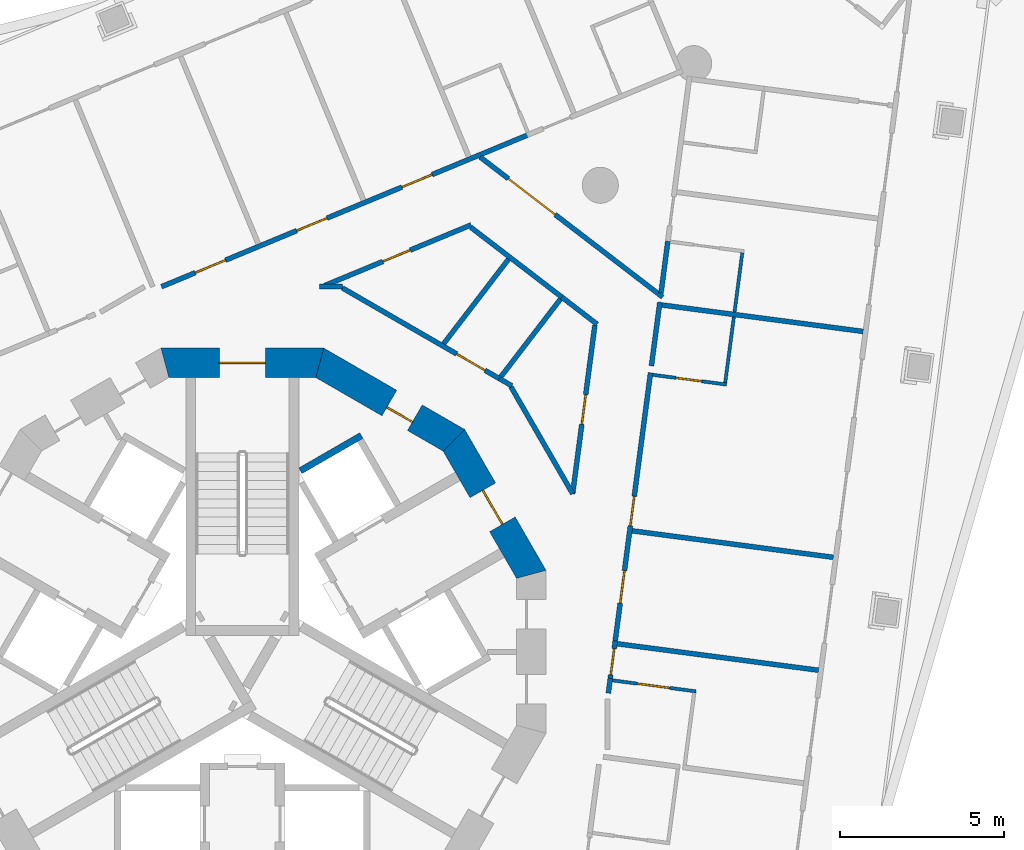
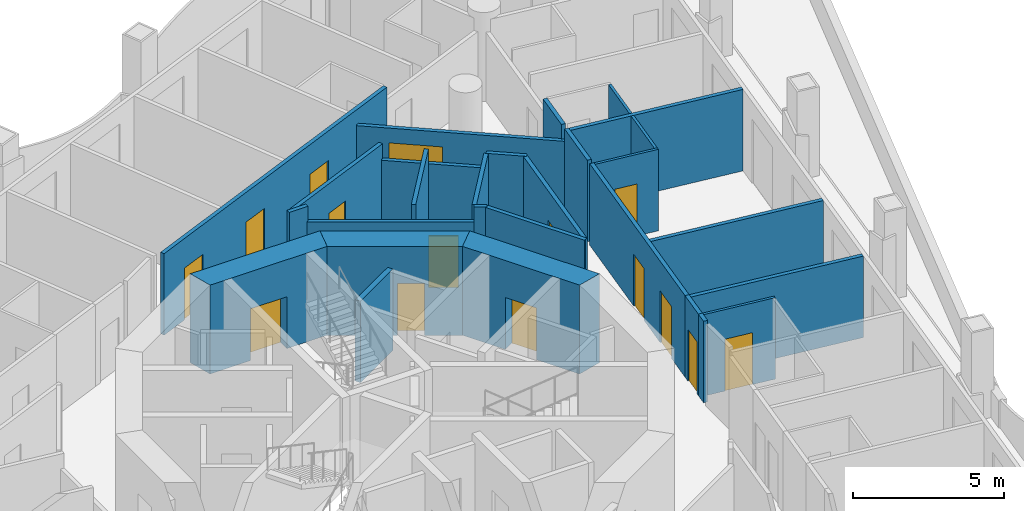
# One storey, part 9 of 19: 28 walls, 15 doors, 15 openings.
"""IFC4 building model written with IfcOpenShell, lengths in metres."""

import ifcopenshell
import ifcopenshell.guid

model = None  # the IFC model being written
_history = None  # IfcOwnerHistory: only IFC2X3 demands one
_inside = {}  # id of a spatial element -> (the spatial element, [elements in it])
_under = {}  # id of a project, library or spatial element -> (it, [spatial elements below it])
_declared = {}  # id of a project -> (the project, [libraries it declares])
_typed = {}  # id of a type object -> (the type object, [elements of that type])
_made_of = {}  # id of a material, layer set ... -> (it, [elements and type objects made of it])


def new_model(schema):
    """Start an empty IFC model of exactly this schema.

    Asked for "IFC4X3", IfcOpenShell would pick the latest addendum, in which some entities
    have other attributes; the version numbers below select the first issue.
    IFC2X3 requires an IfcOwnerHistory on every rooted entity: one is made here for all.
    """
    global model, _history
    if schema == "IFC4X3":
        model = ifcopenshell.file(schema_version=(4, 3, 0, 0))
    else:
        model = ifcopenshell.file(schema=schema)
    _inside.clear()
    _under.clear()
    _declared.clear()
    _typed.clear()
    _made_of.clear()
    _history = None
    if model.schema == "IFC2X3":
        org = make("IfcOrganization", Name="unknown")
        user = make(
            "IfcPersonAndOrganization",
            ThePerson=make("IfcPerson", FamilyName="unknown"),
            TheOrganization=org,
        )
        app = make(
            "IfcApplication",
            ApplicationDeveloper=org,
            Version="unknown",
            ApplicationFullName="unknown",
            ApplicationIdentifier="unknown",
        )
        _history = make(
            "IfcOwnerHistory",
            OwningUser=user,
            OwningApplication=app,
            ChangeAction="ADDED",
            CreationDate=0,
        )
    return model


def make(cls, **values):
    """One entity of the class cls with the attributes given. An attribute that is None is left unset."""
    return model.create_entity(
        cls, **{name: value for name, value in values.items() if value is not None}
    )


def rooted(cls, **values):
    """An entity with a GlobalId (a new one), such as an element, a storey or a relation."""
    return make(cls, GlobalId=ifcopenshell.guid.new(), OwnerHistory=_history, **values)


def si_unit(unit_type, name, prefix=None):
    """IfcSIUnit, for example si_unit("LENGTHUNIT", "METRE", prefix="MILLI")."""
    return make("IfcSIUnit", UnitType=unit_type, Prefix=prefix, Name=name)


def assignment(units):
    """IfcUnitAssignment: the units of a project."""
    return None if units is None else make("IfcUnitAssignment", Units=units)


def point(xyz):
    """IfcCartesianPoint."""
    return None if xyz is None else make("IfcCartesianPoint", Coordinates=xyz)


def direction(xyz):
    """IfcDirection."""
    return None if xyz is None else make("IfcDirection", DirectionRatios=xyz)


def frame(location, z_axis=None, x_axis=None):
    """IfcAxis2Placement3D, a coordinate frame: its origin and axes. An axis left out is left unset."""
    return make(
        "IfcAxis2Placement3D",
        Location=point(location),
        Axis=direction(z_axis),
        RefDirection=direction(x_axis),
    )


def frame_2d(location, x_axis=None):
    """IfcAxis2Placement2D, a coordinate frame in the plane: its origin and x axis."""
    return make(
        "IfcAxis2Placement2D", Location=point(location), RefDirection=direction(x_axis)
    )


def origin():
    """The frame at (0, 0, 0) with its axes left unset."""
    return frame((0.0, 0.0, 0.0))


def place(relative_to, where):
    """IfcLocalPlacement: puts the frame where relative to a parent placement (None: the world)."""
    return make(
        "IfcLocalPlacement", PlacementRelTo=relative_to, RelativePlacement=where
    )


def context(
    kind, dimensions, precision=None, world=None, true_north=None, identifier=None
):
    """IfcGeometricRepresentationContext, for example the 3D "Model" context."""
    return make(
        "IfcGeometricRepresentationContext",
        ContextIdentifier=identifier,
        ContextType=kind,
        CoordinateSpaceDimension=dimensions,
        Precision=precision,
        WorldCoordinateSystem=world,
        TrueNorth=true_north,
    )


def subcontext(parent, identifier, kind, view, scale=None):
    """IfcGeometricRepresentationSubContext, for example "Body" below "Model"."""
    return make(
        "IfcGeometricRepresentationSubContext",
        ContextIdentifier=identifier,
        ContextType=kind,
        ParentContext=parent,
        TargetScale=scale,
        TargetView=view,
    )


def project(units=None, contexts=None):
    """IfcProject with its units and contexts."""
    return rooted(
        "IfcProject",
        Name="project",
        RepresentationContexts=contexts,
        UnitsInContext=assignment(units),
    )


def spatial(cls, under=None, at=None, **own):
    """A site, building, storey or space (cls), placed at a placement, below another one or the project."""
    s = rooted(cls, ObjectPlacement=at, **own)
    if under is not None:
        _under.setdefault(under.id(), (under, []))[1].append(s)
    return s


def polyline(points):
    """IfcPolyline through the points."""
    return make("IfcPolyline", Points=[point(p) for p in points])


def profile(cls, at=None, kind="AREA", **sizes):
    """A parametric profile (cls). Its sizes go by their IFC names, for example OverallWidth=200.0."""
    return make(cls, ProfileType=kind, Position=at, **sizes)


def rectangle(**sizes):
    """IfcRectangleProfileDef."""
    return profile("IfcRectangleProfileDef", **sizes)


def outline(outer, holes=None, kind="AREA"):
    """IfcArbitraryClosedProfileDef: a profile drawn as a closed curve; with holes, ...WithVoids."""
    if holes is None:
        return make("IfcArbitraryClosedProfileDef", ProfileType=kind, OuterCurve=outer)
    return make(
        "IfcArbitraryProfileDefWithVoids",
        ProfileType=kind,
        OuterCurve=outer,
        InnerCurves=holes,
    )


def extrude(swept, where, along, depth):
    """IfcExtrudedAreaSolid: the profile swept, set in the frame where, extruded along a direction by depth."""
    return make(
        "IfcExtrudedAreaSolid",
        SweptArea=swept,
        Position=where,
        ExtrudedDirection=direction(along),
        Depth=depth,
    )


def shape(context_of_items, identifier, shape_type, items):
    """IfcShapeRepresentation: the items that make up one representation, for example the "Body"."""
    return make(
        "IfcShapeRepresentation",
        ContextOfItems=context_of_items,
        RepresentationIdentifier=identifier,
        RepresentationType=shape_type,
        Items=items,
    )


def material(Name=None, Category=None):
    """IfcMaterial."""
    return make("IfcMaterial", Name=Name, Category=Category)


def layer(
    of_material, thickness, ventilated=None, Name=None, Category=None, Priority=None
):
    """IfcMaterialLayer: one layer of a wall or slab, of a material (None: an air gap)."""
    return make(
        "IfcMaterialLayer",
        Material=of_material,
        LayerThickness=thickness,
        IsVentilated=ventilated,
        Name=Name,
        Category=Category,
        Priority=Priority,
    )


def layer_set(layers, Name=None):
    """IfcMaterialLayerSet."""
    return make("IfcMaterialLayerSet", MaterialLayers=layers, LayerSetName=Name)


def made_of(thing, what):
    """Note that an element or type object is made of a material, layer set ...; save() writes the relation."""
    if what is not None:
        _made_of.setdefault(what.id(), (what, []))[1].append(thing)
    return thing


def type_object(cls, material=None, **own):
    """A type object (cls), such as IfcWallType, which elements share."""
    return made_of(rooted(cls, **own), material)


def element(
    cls,
    number,
    at=None,
    inside=None,
    cuts=None,
    type_object=None,
    material=None,
    context=None,
    identifier="Body",
    shape_type=None,
    held_by="IfcProductDefinitionShape",
    body=None,
    shapes=None,
    **own,
):
    """One element of the class cls, such as IfcWall. Its Tag is "e" and its number.

    at: its placement. inside: the storey or other place that contains it. cuts: it is an
    opening in that element (IfcRelVoidsElement). A single representation is given by context,
    identifier, shape_type and body (its items); several are given by shapes. held_by: the class
    of the entity that holds the representations. save() writes the other relations.
    """
    e = rooted(cls, Tag="e%d" % number, ObjectPlacement=at, **own)
    if body is not None:
        shapes = [shape(context, identifier, shape_type, body)]
    if shapes is not None:
        e.Representation = make(held_by, Representations=shapes)
    if inside is not None:
        _inside.setdefault(inside.id(), (inside, []))[1].append(e)
    if cuts is not None:
        rooted(
            "IfcRelVoidsElement", RelatingBuildingElement=cuts, RelatedOpeningElement=e
        )
    if type_object is not None:
        _typed.setdefault(type_object.id(), (type_object, []))[1].append(e)
    return made_of(e, material)


def fill(opening, filler):
    """IfcRelFillsElement: the door or window that sits in an opening."""
    return rooted(
        "IfcRelFillsElement",
        RelatingOpeningElement=opening,
        RelatedBuildingElement=filler,
    )


def aggregate(whole, parts):
    """IfcRelAggregates: a whole, such as a stair, and the parts it consists of."""
    return rooted("IfcRelAggregates", RelatingObject=whole, RelatedObjects=parts)


def save(model, path):
    """Write the relations noted so far, then the file.

    IfcRelAggregates (storeys below a building ...), IfcRelContainedInSpatialStructure (elements
    in a storey), IfcRelDefinesByType, IfcRelAssociatesMaterial and IfcRelDeclares: one each for
    every whole, place, type object, material and project.
    """
    for whole, parts in _under.values():
        aggregate(whole, parts)
    for where, things in _inside.values():
        rooted(
            "IfcRelContainedInSpatialStructure",
            RelatedElements=things,
            RelatingStructure=where,
        )
    for kind, things in _typed.values():
        rooted("IfcRelDefinesByType", RelatedObjects=things, RelatingType=kind)
    for what, things in _made_of.values():
        rooted("IfcRelAssociatesMaterial", RelatedObjects=things, RelatingMaterial=what)
    for by, libraries in _declared.values():
        rooted("IfcRelDeclares", RelatingContext=by, RelatedDefinitions=libraries)
    model.write(path)


model = new_model("IFC4")

# Units and contexts
model_context = context("Model", 3, precision=1e-05, world=origin(), true_north=direction((0.0, 1.0)))
body_context = subcontext(model_context, "Body", "Model", "MODEL_VIEW")
ifc_project = project(units=[si_unit("LENGTHUNIT", "METRE"), si_unit("AREAUNIT", "SQUARE_METRE"), si_unit("VOLUMEUNIT", "CUBIC_METRE"), si_unit("PLANEANGLEUNIT", "RADIAN"), si_unit("MASSUNIT", "GRAM", prefix="KILO")], contexts=[model_context])

# Site, building, storey
site_placement = place(None, origin())
site = spatial("IfcSite", under=ifc_project, at=site_placement, CompositionType="ELEMENT")
building_placement = place(site_placement, origin())
building = spatial("IfcBuilding", under=site, at=building_placement, Name="Trine Commons Tower", CompositionType="ELEMENT")
storey_placement = place(building_placement, frame((0.0, 0.0, 124.199951171875)))
storey = spatial("IfcBuildingStorey", under=building, at=storey_placement, Name="L31", CompositionType="ELEMENT", Elevation=124.199951171875)

# Wall, opening, door
ifc_material_1 = material(Name="Concrete C70/85", Category="concrete")
ifc_layer_1 = layer(ifc_material_1, 0.89990234375)
ifc_layer_set_1 = layer_set([ifc_layer_1], Name="Concrete C70/85")
wall_type_1 = type_object("IfcWallType", Name="RC shear wall 900 mm, C70/85", PredefinedType="SHEAR", material=ifc_layer_set_1)
wall_1_placement = place(storey_placement, frame((88.88330078125, 64.759765625, 0.0), z_axis=(0.0, 0.0, 1.0), x_axis=(-0.500038571144, 0.866003133579, 0.0)))
wall_1 = element("IfcWall", 1, at=wall_1_placement, inside=storey, type_object=wall_type_1, Name="Core wall CWD-02 L31", PredefinedType="SHEAR", context=body_context, shape_type="SweptSolid", body=[
    extrude(outline(polyline([(0.0, -0.449951171875), (4.96923828125, -0.449951171875), (4.72802734375, 0.449951171875), (0.2412109375, 0.449951171875), (0.0, -0.449951171875)])), origin(), (0.0, 0.0, 1.0), 3.60009765625),
])
opening_1_placement = place(wall_1_placement, frame((1.884521484375, 0.0, 0.0)))
opening_1 = element("IfcOpeningElement", 2, at=opening_1_placement, cuts=wall_1, Name="Opening K10.04", PredefinedType="OPENING", context=body_context, shape_type="SweptSolid", body=[
    extrude(rectangle(XDim=1.199951171875, YDim=2.10009765625, at=frame_2d((0.60009765625, 1.050048828125))), frame((0.0, 0.4599609375, 0.0), z_axis=(0.0, -1.0, 0.0), x_axis=(1.0, 0.0, 0.0)), (0.0, 0.0, 1.0), 0.919921875),
])
ifc_material_2 = material(Name="Steel door leaves, fire-rated", Category="steel")
door_type_1 = type_object("IfcDoorType", Name="Lobby door, double leaf 1200 x 2100, FD60", OperationType="DOUBLE_DOOR_SINGLE_SWING", PredefinedType="DOOR", material=ifc_material_2)
door_1_placement = place(opening_1_placement, origin())
door_1 = element("IfcDoor", 3, at=door_1_placement, inside=storey, type_object=door_type_1, Name="Lobby door, Passenger lift lobby A L31", OperationType="DOUBLE_DOOR_SINGLE_SWING", OverallHeight=2.10009765625, OverallWidth=1.199951171875, PredefinedType="DOOR", context=body_context, shape_type="SweptSolid", body=[
    extrude(rectangle(XDim=1.199951171875, YDim=2.10009765625, at=frame_2d((0.60009765625, 1.050048828125))), frame((0.0, 0.02490234375, 0.0), z_axis=(0.0, -1.0, 0.0), x_axis=(1.0, 0.0, 0.0)), (0.0, 0.0, 1.0), 0.050048828125),
])
fill(opening_1, door_1)

wall_2_placement = place(storey_placement, frame((86.563232421875, 68.8984375, 0.0), z_axis=(0.0, 0.0, 1.0), x_axis=(-0.866003133579, 0.500038571144, 0.0)))
wall_2 = element("IfcWall", 4, at=wall_2_placement, inside=storey, type_object=wall_type_1, Name="Core wall CWD-03 L31", PredefinedType="SHEAR", context=body_context, shape_type="SweptSolid", body=[
    extrude(outline(polyline([(0.0, -0.449951171875), (4.96923828125, -0.449951171875), (4.72802734375, 0.449951171875), (0.2412109375, 0.449951171875), (0.0, -0.449951171875)])), origin(), (0.0, 0.0, 1.0), 3.60009765625),
])
opening_2_placement = place(wall_2_placement, frame((1.49609375, 0.0, 0.0)))
opening_2 = element("IfcOpeningElement", 5, at=opening_2_placement, cuts=wall_2, Name="Opening K10.12", PredefinedType="OPENING", context=body_context, shape_type="SweptSolid", body=[
    extrude(rectangle(XDim=0.89990234375, YDim=2.10009765625, at=frame_2d((0.449951171875, 1.050048828125))), frame((0.0, 0.4599609375, 0.0), z_axis=(0.0, -1.0, 0.0), x_axis=(1.0, 0.0, 0.0)), (0.0, 0.0, 1.0), 0.919921875),
])
ifc_material_3 = material(Name="Steel door leaf, fire-rated", Category="steel")
door_type_2 = type_object("IfcDoorType", Name="Core room door, single leaf 900 x 2100, FD30S", OperationType="SINGLE_SWING_LEFT", PredefinedType="DOOR", material=ifc_material_3)
door_2_placement = place(opening_2_placement, origin())
door_2 = element("IfcDoor", 6, at=door_2_placement, inside=storey, type_object=door_type_2, Name="Door to Pantry L31", OperationType="SINGLE_SWING_LEFT", OverallHeight=2.10009765625, OverallWidth=0.89990234375, PredefinedType="DOOR", context=body_context, shape_type="SweptSolid", body=[
    extrude(rectangle(XDim=0.89990234375, YDim=2.10009765625, at=frame_2d((0.449951171875, 1.050048828125))), frame((0.0, 0.1748046875, 0.0), z_axis=(0.0, -1.0, 0.0), x_axis=(1.0, 0.0, 0.0)), (0.0, 0.0, 1.0), 0.050048828125),
])
fill(opening_2, door_2)

wall_3_placement = place(storey_placement, frame((82.484619140625, 71.322998046875, 0.0), z_axis=(0.0, 0.0, 1.0), x_axis=(-1.0, 0.0, 0.0)))
wall_3 = element("IfcWall", 7, at=wall_3_placement, inside=storey, type_object=wall_type_1, Name="Core wall CWD-04 L31", PredefinedType="SHEAR", context=body_context, shape_type="SweptSolid", body=[
    extrude(outline(polyline([(0.0, -0.449951171875), (4.969482421875, -0.449951171875), (4.728271484375, 0.449951171875), (0.2412109375, 0.449951171875), (0.0, -0.449951171875)])), origin(), (0.0, 0.0, 1.0), 3.60009765625),
])
opening_3_placement = place(wall_3_placement, frame((1.78466796875, 0.0, 0.0)))
opening_3 = element("IfcOpeningElement", 8, at=opening_3_placement, cuts=wall_3, Name="Opening K10.01", PredefinedType="OPENING", context=body_context, shape_type="SweptSolid", body=[
    extrude(rectangle(XDim=1.39990234375, YDim=2.10009765625, at=frame_2d((0.699951171875, 1.050048828125))), frame((0.0, 0.4599609375, 0.0), z_axis=(0.0, -1.0, 0.0), x_axis=(1.0, 0.0, 0.0)), (0.0, 0.0, 1.0), 0.919921875),
])
door_type_3 = type_object("IfcDoorType", Name="Stair door, double leaf 1400 x 2100, FD90", OperationType="DOUBLE_DOOR_SINGLE_SWING", PredefinedType="DOOR", material=ifc_material_2)
door_3_placement = place(opening_3_placement, origin())
door_3 = element("IfcDoor", 9, at=door_3_placement, inside=storey, type_object=door_type_3, Name="Stair door to Exit stair ST1B L31", OperationType="DOUBLE_DOOR_SINGLE_SWING", OverallHeight=2.10009765625, OverallWidth=1.39990234375, PredefinedType="DOOR", context=body_context, shape_type="SweptSolid", body=[
    extrude(rectangle(XDim=1.39990234375, YDim=2.10009765625, at=frame_2d((0.699951171875, 1.050048828125))), frame((0.0, 0.02490234375, 0.0), z_axis=(0.0, -1.0, 0.0), x_axis=(1.0, 0.0, 0.0)), (0.0, 0.0, 1.0), 0.050048828125),
])
fill(opening_3, door_3)

# Wall
ifc_material_4 = material(Name="Fire-rated gypsum shaft wall system")
ifc_layer_2 = layer(ifc_material_4, 0.199951171875)
ifc_layer_set_2 = layer_set([ifc_layer_2], Name="Fire-rated gypsum shaft wall system")
wall_type_2 = type_object("IfcWallType", Name="Shaft wall 200 mm, EI 120", PredefinedType="PARTITIONING", material=ifc_layer_set_2)
wall_4_placement = place(storey_placement, frame((81.77490234375, 68.028076171875, 0.0), z_axis=(0.0, 0.0, 1.0), x_axis=(0.866130725101, 0.499817533742, 0.0)))
element("IfcWall", 10, at=wall_4_placement, inside=storey, type_object=wall_type_2, Name="Shaft wall L31", PredefinedType="PARTITIONING", context=body_context, shape_type="SweptSolid", body=[
    extrude(rectangle(XDim=2.148681640625, YDim=0.199951171875, at=frame_2d((1.07421875, 0.0))), origin(), (0.0, 0.0, 1.0), 3.300048828125),
])

# Wall, openings, doors
ifc_material_5 = material(Name="Gypsum plasterboard on steel stud", Category="steel")
ifc_layer_3 = layer(ifc_material_5, 0.14990234375)
ifc_layer_set_3 = layer_set([ifc_layer_3], Name="Gypsum plasterboard on steel stud")
wall_type_3 = type_object("IfcWallType", Name="Unit and corridor wall 150 mm, EI 60", PredefinedType="PARTITIONING", material=ifc_layer_set_3)
wall_5_placement = place(storey_placement, frame((77.531982421875, 73.64794921875, 0.0), z_axis=(0.0, 0.0, 1.0), x_axis=(0.923863379582, 0.382722426659, 0.0)))
wall_5 = element("IfcWall", 11, at=wall_5_placement, inside=storey, type_object=wall_type_3, Name="Partition 059", PredefinedType="PARTITIONING", context=body_context, shape_type="SweptSolid", body=[
    extrude(rectangle(XDim=12.139404296875, YDim=0.14990234375, at=frame_2d((6.06982421875, 0.0))), origin(), (0.0, 0.0, 1.0), 3.300048828125),
])
opening_4_placement = place(wall_5_placement, frame((1.115966796875, 0.0, 0.0)))
opening_4 = element("IfcOpeningElement", 12, at=opening_4_placement, cuts=wall_5, Name="Opening D-4A10", PredefinedType="OPENING", context=body_context, shape_type="SweptSolid", body=[
    extrude(rectangle(XDim=1.0, YDim=2.10009765625, at=frame_2d((0.5, 1.050048828125))), frame((0.0, 0.0849609375, 0.0), z_axis=(0.0, -1.0, 0.0), x_axis=(1.0, 0.0, 0.0)), (0.0, 0.0, 1.0), 0.169921875),
])
opening_5_placement = place(wall_5_placement, frame((4.46875, 0.0, 0.0)))
opening_5 = element("IfcOpeningElement", 13, at=opening_5_placement, cuts=wall_5, Name="Opening D-4A11", PredefinedType="OPENING", context=body_context, shape_type="SweptSolid", body=[
    extrude(rectangle(XDim=1.0, YDim=2.10009765625, at=frame_2d((0.5, 1.050048828125))), frame((0.0, 0.0849609375, 0.0), z_axis=(0.0, -1.0, 0.0), x_axis=(1.0, 0.0, 0.0)), (0.0, 0.0, 1.0), 0.169921875),
])
opening_6_placement = place(wall_5_placement, frame((7.946533203125, 0.0, 0.0)))
opening_6 = element("IfcOpeningElement", 14, at=opening_6_placement, cuts=wall_5, Name="Opening D-4A12", PredefinedType="OPENING", context=body_context, shape_type="SweptSolid", body=[
    extrude(rectangle(XDim=1.0, YDim=2.10009765625, at=frame_2d((0.5, 1.050048828125))), frame((0.0, 0.0849609375, 0.0), z_axis=(0.0, -1.0, 0.0), x_axis=(1.0, 0.0, 0.0)), (0.0, 0.0, 1.0), 0.169921875),
])
ifc_material_6 = material(Name="Painted timber", Category="wood")
door_type_4 = type_object("IfcDoorType", Name="Amenity room door 1000 x 2100, NOT RATED", OperationType="NOTDEFINED", PredefinedType="DOOR", material=ifc_material_6)
door_4_placement = place(opening_5_placement, origin())
door_4 = element("IfcDoor", 15, at=door_4_placement, inside=storey, type_object=door_type_4, Name="Door D-4A11", OperationType="SINGLE_SWING_LEFT", OverallHeight=2.10009765625, OverallWidth=1.0, PredefinedType="DOOR", context=body_context, shape_type="SweptSolid", body=[
    extrude(rectangle(XDim=1.0, YDim=2.10009765625, at=frame_2d((0.5, 1.050048828125))), frame((0.0, 0.02490234375, 0.0), z_axis=(0.0, -1.0, 0.0), x_axis=(1.0, 0.0, 0.0)), (0.0, 0.0, 1.0), 0.050048828125),
])
fill(opening_5, door_4)
door_5_placement = place(opening_6_placement, origin())
door_5 = element("IfcDoor", 16, at=door_5_placement, inside=storey, type_object=door_type_4, Name="Door D-4A12", OperationType="SINGLE_SWING_RIGHT", OverallHeight=2.10009765625, OverallWidth=1.0, PredefinedType="DOOR", context=body_context, shape_type="SweptSolid", body=[
    extrude(rectangle(XDim=1.0, YDim=2.10009765625, at=frame_2d((0.5, 1.050048828125))), frame((0.0, 0.02490234375, 0.0), z_axis=(0.0, -1.0, 0.0), x_axis=(1.0, 0.0, 0.0)), (0.0, 0.0, 1.0), 0.050048828125),
])
fill(opening_6, door_5)
door_type_5 = type_object("IfcDoorType", Name="Toilet door 1000 x 2100, NOT RATED", OperationType="NOTDEFINED", PredefinedType="DOOR", material=ifc_material_6)
door_6_placement = place(opening_4_placement, origin())
door_6 = element("IfcDoor", 17, at=door_6_placement, inside=storey, type_object=door_type_5, Name="Door D-4A10", OperationType="SINGLE_SWING_LEFT", OverallHeight=2.10009765625, OverallWidth=1.0, PredefinedType="DOOR", context=body_context, shape_type="SweptSolid", body=[
    extrude(rectangle(XDim=1.0, YDim=2.10009765625, at=frame_2d((0.5, 1.050048828125))), frame((0.0, 0.02490234375, 0.0), z_axis=(0.0, -1.0, 0.0), x_axis=(1.0, 0.0, 0.0)), (0.0, 0.0, 1.0), 0.050048828125),
])
fill(opening_4, door_6)

# Wall
wall_6_placement = place(storey_placement, frame((82.35205078125, 73.64794921875, 0.0), z_axis=(0.0, 0.0, 1.0), x_axis=(1.0, 0.0, 0.0)))
element("IfcWall", 18, at=wall_6_placement, inside=storey, type_object=wall_type_3, Name="Partition 067", PredefinedType="PARTITIONING", context=body_context, shape_type="SweptSolid", body=[
    extrude(rectangle(XDim=0.7099609375, YDim=0.14990234375, at=frame_2d((0.35498046875, 0.0))), origin(), (0.0, 0.0, 1.0), 3.300048828125),
])

# Wall, opening, door
wall_7_placement = place(storey_placement, frame((82.500244140625, 73.6767578125, 0.0), z_axis=(0.0, 0.0, 1.0), x_axis=(0.923900404771, 0.382633038384, 0.0)))
wall_7 = element("IfcWall", 19, at=wall_7_placement, inside=storey, type_object=wall_type_3, Name="Partition 068", PredefinedType="PARTITIONING", context=body_context, shape_type="SweptSolid", body=[
    extrude(rectangle(XDim=4.855712890625, YDim=0.14990234375, at=frame_2d((2.427734375, 0.0))), origin(), (0.0, 0.0, 1.0), 3.300048828125),
])
opening_7_placement = place(wall_7_placement, frame((1.940185546875, 0.0, 0.0)))
opening_7 = element("IfcOpeningElement", 20, at=opening_7_placement, cuts=wall_7, Name="Opening D-4A34", PredefinedType="OPENING", context=body_context, shape_type="SweptSolid", body=[
    extrude(rectangle(XDim=0.89990234375, YDim=2.10009765625, at=frame_2d((0.449951171875, 1.050048828125))), frame((0.0, 0.0849609375, 0.0), z_axis=(0.0, -1.0, 0.0), x_axis=(1.0, 0.0, 0.0)), (0.0, 0.0, 1.0), 0.169921875),
])
ifc_material_7 = material(Name="Timber fire door set", Category="wood")
door_type_6 = type_object("IfcDoorType", Name="Service door 900 x 2100, FD30S", OperationType="NOTDEFINED", PredefinedType="DOOR", material=ifc_material_7)
door_7_placement = place(opening_7_placement, frame((0.89990234375, 0.0, 0.0), z_axis=(0.0, 0.0, 1.0), x_axis=(-1.0, 0.0, 0.0)))
door_7 = element("IfcDoor", 21, at=door_7_placement, inside=storey, type_object=door_type_6, Name="Door D-4A34", OperationType="SINGLE_SWING_RIGHT", OverallHeight=2.10009765625, OverallWidth=0.89990234375, PredefinedType="DOOR", context=body_context, shape_type="SweptSolid", body=[
    extrude(rectangle(XDim=0.89990234375, YDim=2.10009765625, at=frame_2d((0.449951171875, 1.050048828125))), frame((0.0, 0.02490234375, 0.0), z_axis=(0.0, -1.0, 0.0), x_axis=(1.0, 0.0, 0.0)), (0.0, 0.0, 1.0), 0.050048828125),
])
fill(opening_7, door_7)

wall_8_placement = place(storey_placement, frame((83.052001953125, 73.610595703125, 0.0), z_axis=(0.0, 0.0, 1.0), x_axis=(0.866011740381, -0.500023664962, 0.0)))
wall_8 = element("IfcWall", 22, at=wall_8_placement, inside=storey, type_object=wall_type_3, Name="Partition 071", PredefinedType="PARTITIONING", context=body_context, shape_type="SweptSolid", body=[
    extrude(rectangle(XDim=5.542724609375, YDim=0.14990234375, at=frame_2d((2.771484375, 0.0))), origin(), (0.0, 0.0, 1.0), 2.699951171875),
])
opening_8_placement = place(wall_8_placement, frame((4.030517578125, 0.0, 0.0)))
opening_8 = element("IfcOpeningElement", 23, at=opening_8_placement, cuts=wall_8, Name="Opening D-4A38", PredefinedType="OPENING", context=body_context, shape_type="SweptSolid", body=[
    extrude(rectangle(XDim=1.0, YDim=2.10009765625, at=frame_2d((0.5, 1.050048828125))), frame((0.0, 0.0849609375, 0.0), z_axis=(0.0, -1.0, 0.0), x_axis=(1.0, 0.0, 0.0)), (0.0, 0.0, 1.0), 0.169921875),
])
door_8_placement = place(opening_8_placement, origin())
door_8 = element("IfcDoor", 24, at=door_8_placement, inside=storey, type_object=door_type_5, Name="Door D-4A38", OperationType="SINGLE_SWING_RIGHT", OverallHeight=2.10009765625, OverallWidth=1.0, PredefinedType="DOOR", context=body_context, shape_type="SweptSolid", body=[
    extrude(rectangle(XDim=1.0, YDim=2.10009765625, at=frame_2d((0.5, 1.050048828125))), frame((0.0, 0.02490234375, 0.0), z_axis=(0.0, -1.0, 0.0), x_axis=(1.0, 0.0, 0.0)), (0.0, 0.0, 1.0), 0.050048828125),
])
fill(opening_8, door_8)

# Walls
wall_9_placement = place(storey_placement, frame((86.147705078125, 71.908447265625, 0.0), z_axis=(0.0, 0.0, 1.0), x_axis=(0.608765985087, 0.793349844269, 0.0)))
element("IfcWall", 25, at=wall_9_placement, inside=storey, type_object=wall_type_3, Name="Partition 081", PredefinedType="PARTITIONING", context=body_context, shape_type="SweptSolid", body=[
    extrude(rectangle(XDim=3.24853515625, YDim=0.14990234375, at=frame_2d((1.624267578125, 0.0))), origin(), (0.0, 0.0, 1.0), 3.300048828125),
])
wall_10_placement = place(storey_placement, frame((86.9765625, 75.460205078125, 0.0), z_axis=(0.0, 0.0, 1.0), x_axis=(0.793436349507, -0.608653234018, 0.0)))
element("IfcWall", 26, at=wall_10_placement, inside=storey, type_object=wall_type_3, Name="Partition 082", PredefinedType="PARTITIONING", context=body_context, shape_type="SweptSolid", body=[
    extrude(rectangle(XDim=3.583251953125, YDim=0.14990234375, at=frame_2d((1.79150390625, 0.0))), origin(), (0.0, 0.0, 1.0), 2.699951171875),
])

# Wall, opening, door
wall_11_placement = place(storey_placement, frame((87.259521484375, 77.607421875, 0.0), z_axis=(0.0, 0.0, 1.0), x_axis=(0.79336631803, -0.608744515718, 0.0)))
wall_11 = element("IfcWall", 27, at=wall_11_placement, inside=storey, type_object=wall_type_3, Name="Partition 083", PredefinedType="PARTITIONING", context=body_context, shape_type="SweptSolid", body=[
    extrude(rectangle(XDim=7.0244140625, YDim=0.14990234375, at=frame_2d((3.51220703125, 0.0))), origin(), (0.0, 0.0, 1.0), 2.699951171875),
])
opening_9_placement = place(wall_11_placement, frame((1.086181640625, 0.0, 0.0)))
opening_9 = element("IfcOpeningElement", 28, at=opening_9_placement, cuts=wall_11, Name="Opening D-4A01", PredefinedType="OPENING", context=body_context, shape_type="SweptSolid", body=[
    extrude(rectangle(XDim=1.800048828125, YDim=2.10009765625, at=frame_2d((0.89990234375, 1.050048828125))), frame((0.0, 0.0849609375, 0.0), z_axis=(0.0, -1.0, 0.0), x_axis=(1.0, 0.0, 0.0)), (0.0, 0.0, 1.0), 0.169921875),
])
door_type_7 = type_object("IfcDoorType", Name="Cluster entrance door 1800 x 2100, double leaf, FD30S", OperationType="DOUBLE_DOOR_DOUBLE_SWING", PredefinedType="DOOR", material=ifc_material_7)
door_9_placement = place(opening_9_placement, origin())
door_9 = element("IfcDoor", 29, at=door_9_placement, inside=storey, type_object=door_type_7, Name="Door D-4A01", OperationType="DOUBLE_DOOR_DOUBLE_SWING", OverallHeight=2.10009765625, OverallWidth=1.800048828125, PredefinedType="DOOR", context=body_context, shape_type="SweptSolid", body=[
    extrude(rectangle(XDim=1.800048828125, YDim=2.10009765625, at=frame_2d((0.89990234375, 1.050048828125))), frame((0.0, 0.02490234375, 0.0), z_axis=(0.0, -1.0, 0.0), x_axis=(1.0, 0.0, 0.0)), (0.0, 0.0, 1.0), 0.050048828125),
])
fill(opening_9, door_9)

# Walls
wall_12_placement = place(storey_placement, frame((87.845947265625, 70.843017578125, 0.0), z_axis=(0.0, 0.0, 1.0), x_axis=(0.86587042983, -0.500268326746, 0.0)))
element("IfcWall", 30, at=wall_12_placement, inside=storey, type_object=wall_type_3, Name="Partition 088", PredefinedType="PARTITIONING", context=body_context, shape_type="SweptSolid", body=[
    extrude(rectangle(XDim=0.438720703125, YDim=0.14990234375, at=frame_2d((0.21923828125, 0.0))), origin(), (0.0, 0.0, 1.0), 3.300048828125),
])
wall_13_placement = place(storey_placement, frame((87.894775390625, 70.900390625, 0.0), z_axis=(0.0, 0.0, 1.0), x_axis=(0.608761301523, 0.793353438114, 0.0)))
element("IfcWall", 31, at=wall_13_placement, inside=storey, type_object=wall_type_3, Name="Partition 089", PredefinedType="PARTITIONING", context=body_context, shape_type="SweptSolid", body=[
    extrude(rectangle(XDim=2.98388671875, YDim=0.14990234375, at=frame_2d((1.491943359375, 0.0))), origin(), (0.0, 0.0, 1.0), 3.300048828125),
])
wall_14_placement = place(storey_placement, frame((88.198486328125, 70.595947265625, 0.0), z_axis=(0.0, 0.0, 1.0), x_axis=(0.499871635049, -0.86609950264, 0.0)))
element("IfcWall", 32, at=wall_14_placement, inside=storey, type_object=wall_type_3, Name="Partition 092", PredefinedType="PARTITIONING", context=body_context, shape_type="SweptSolid", body=[
    extrude(rectangle(XDim=3.77783203125, YDim=0.14990234375, at=frame_2d((1.888916015625, 0.0))), origin(), (0.0, 0.0, 1.0), 3.300048828125),
])
wall_15_placement = place(storey_placement, frame((89.75390625, 73.3291015625, 0.0), z_axis=(0.0, 0.0, 1.0), x_axis=(0.793704663206, -0.608303302313, 0.0)))
element("IfcWall", 33, at=wall_15_placement, inside=storey, type_object=wall_type_3, Name="Partition 102", PredefinedType="PARTITIONING", context=body_context, shape_type="SweptSolid", body=[
    extrude(rectangle(XDim=1.35888671875, YDim=0.14990234375, at=frame_2d((0.679443359375, 0.0))), origin(), (0.0, 0.0, 1.0), 3.300048828125),
])

# Wall, opening, door
wall_16_placement = place(storey_placement, frame((90.0849609375, 67.326904296875, 0.0), z_axis=(0.0, 0.0, 1.0), x_axis=(0.130647942506, 0.991428825039, 0.0)))
wall_16 = element("IfcWall", 34, at=wall_16_placement, inside=storey, type_object=wall_type_3, Name="Partition 106", PredefinedType="PARTITIONING", context=body_context, shape_type="SweptSolid", body=[
    extrude(rectangle(XDim=5.191162109375, YDim=0.14990234375, at=frame_2d((2.595703125, 0.0))), origin(), (0.0, 0.0, 1.0), 3.300048828125),
])
opening_10_placement = place(wall_16_placement, frame((2.1455078125, 0.0, 0.0)))
opening_10 = element("IfcOpeningElement", 35, at=opening_10_placement, cuts=wall_16, Name="Opening D-4A35", PredefinedType="OPENING", context=body_context, shape_type="SweptSolid", body=[
    extrude(rectangle(XDim=0.89990234375, YDim=2.10009765625, at=frame_2d((0.449951171875, 1.050048828125))), frame((0.0, 0.0849609375, 0.0), z_axis=(0.0, -1.0, 0.0), x_axis=(1.0, 0.0, 0.0)), (0.0, 0.0, 1.0), 0.169921875),
])
door_10_placement = place(opening_10_placement, origin())
door_10 = element("IfcDoor", 36, at=door_10_placement, inside=storey, type_object=door_type_6, Name="Door D-4A35", OperationType="SINGLE_SWING_LEFT", OverallHeight=2.10009765625, OverallWidth=0.89990234375, PredefinedType="DOOR", context=body_context, shape_type="SweptSolid", body=[
    extrude(rectangle(XDim=0.89990234375, YDim=2.10009765625, at=frame_2d((0.449951171875, 1.050048828125))), frame((0.0, 0.02490234375, 0.0), z_axis=(0.0, -1.0, 0.0), x_axis=(1.0, 0.0, 0.0)), (0.0, 0.0, 1.0), 0.050048828125),
])
fill(opening_10, door_10)

# Wall
wall_17_placement = place(storey_placement, frame((91.175048828125, 61.237060546875, 0.0), z_axis=(0.0, 0.0, 1.0), x_axis=(0.129931052438, 0.991523031307, 0.0)))
element("IfcWall", 37, at=wall_17_placement, inside=storey, type_object=wall_type_3, Name="Partition 117", PredefinedType="PARTITIONING", context=body_context, shape_type="SweptSolid", body=[
    extrude(rectangle(XDim=0.45849609375, YDim=0.14990234375, at=frame_2d((0.229248046875, 0.0))), origin(), (0.0, 0.0, 1.0), 3.300048828125),
])

# Wall, opening, door
wall_18_placement = place(storey_placement, frame((91.22705078125, 61.634033203125, 0.0), z_axis=(0.0, 0.0, 1.0), x_axis=(0.130261514623, 0.9914796709, 0.0)))
wall_18 = element("IfcWall", 38, at=wall_18_placement, inside=storey, type_object=wall_type_3, Name="Partition 118", PredefinedType="PARTITIONING", context=body_context, shape_type="SweptSolid", body=[
    extrude(rectangle(XDim=1.210693359375, YDim=0.14990234375, at=frame_2d((0.60546875, 0.0))), origin(), (0.0, 0.0, 1.0), 3.300048828125),
])
opening_11_placement = place(wall_18_placement, frame((0.16796875, 0.0, 0.0)))
opening_11 = element("IfcOpeningElement", 39, at=opening_11_placement, cuts=wall_18, Name="Opening D-4A19", PredefinedType="OPENING", context=body_context, shape_type="SweptSolid", body=[
    extrude(rectangle(XDim=0.800048828125, YDim=2.10009765625, at=frame_2d((0.39990234375, 1.050048828125))), frame((0.0, 0.0849609375, 0.0), z_axis=(0.0, -1.0, 0.0), x_axis=(1.0, 0.0, 0.0)), (0.0, 0.0, 1.0), 0.169921875),
])
door_type_8 = type_object("IfcDoorType", Name="Bedroom door 800 x 2100, FD30S", OperationType="NOTDEFINED", PredefinedType="DOOR", material=ifc_material_7)
door_11_placement = place(opening_11_placement, frame((0.800048828125, 0.0, 0.0), z_axis=(0.0, 0.0, 1.0), x_axis=(-1.0, 0.0, 0.0)))
door_11 = element("IfcDoor", 40, at=door_11_placement, inside=storey, type_object=door_type_8, Name="Door D-4A19", OperationType="SINGLE_SWING_RIGHT", OverallHeight=2.10009765625, OverallWidth=0.800048828125, PredefinedType="DOOR", context=body_context, shape_type="SweptSolid", body=[
    extrude(rectangle(XDim=0.800048828125, YDim=2.10009765625, at=frame_2d((0.39990234375, 1.050048828125))), frame((0.0, 0.02490234375, 0.0), z_axis=(0.0, -1.0, 0.0), x_axis=(1.0, 0.0, 0.0)), (0.0, 0.0, 1.0), 0.050048828125),
])
fill(opening_11, door_11)

# Wall, openings, doors
wall_19_placement = place(storey_placement, frame((91.3740234375, 62.751953125, 0.0), z_axis=(0.0, 0.0, 1.0), x_axis=(0.130502976736, 0.991447917474, 0.0)))
wall_19 = element("IfcWall", 41, at=wall_19_placement, inside=storey, type_object=wall_type_3, Name="Partition 120", PredefinedType="PARTITIONING", context=body_context, shape_type="SweptSolid", body=[
    extrude(rectangle(XDim=8.33984375, YDim=0.14990234375, at=frame_2d((4.169921875, 0.0))), origin(), (0.0, 0.0, 1.0), 3.300048828125),
])
opening_12_placement = place(wall_19_placement, frame((3.6318359375, 0.0, 0.0)))
opening_12 = element("IfcOpeningElement", 42, at=opening_12_placement, cuts=wall_19, Name="Opening D-4A17", PredefinedType="OPENING", context=body_context, shape_type="SweptSolid", body=[
    extrude(rectangle(XDim=0.89990234375, YDim=2.10009765625, at=frame_2d((0.449951171875, 1.050048828125))), frame((0.0, 0.0849609375, 0.0), z_axis=(0.0, -1.0, 0.0), x_axis=(1.0, 0.0, 0.0)), (0.0, 0.0, 1.0), 0.169921875),
])
opening_13_placement = place(wall_19_placement, frame((1.242919921875, 0.0, 0.0)))
opening_13 = element("IfcOpeningElement", 43, at=opening_13_placement, cuts=wall_19, Name="Opening D-4A18", PredefinedType="OPENING", context=body_context, shape_type="SweptSolid", body=[
    extrude(rectangle(XDim=1.0, YDim=2.10009765625, at=frame_2d((0.5, 1.050048828125))), frame((0.0, 0.0849609375, 0.0), z_axis=(0.0, -1.0, 0.0), x_axis=(1.0, 0.0, 0.0)), (0.0, 0.0, 1.0), 0.169921875),
])
door_12_placement = place(opening_13_placement, frame((1.0, 0.0, 0.0), z_axis=(0.0, 0.0, 1.0), x_axis=(-1.0, 0.0, 0.0)))
door_12 = element("IfcDoor", 44, at=door_12_placement, inside=storey, type_object=door_type_4, Name="Door D-4A18", OperationType="SINGLE_SWING_RIGHT", OverallHeight=2.10009765625, OverallWidth=1.0, PredefinedType="DOOR", context=body_context, shape_type="SweptSolid", body=[
    extrude(rectangle(XDim=1.0, YDim=2.10009765625, at=frame_2d((0.5, 1.050048828125))), frame((0.0, 0.02490234375, 0.0), z_axis=(0.0, -1.0, 0.0), x_axis=(1.0, 0.0, 0.0)), (0.0, 0.0, 1.0), 0.050048828125),
])
fill(opening_13, door_12)
door_type_9 = type_object("IfcDoorType", Name="Bedroom door 900 x 2100, FD30S", OperationType="NOTDEFINED", PredefinedType="DOOR", material=ifc_material_7)
door_13_placement = place(opening_12_placement, frame((0.89990234375, 0.0, 0.0), z_axis=(0.0, 0.0, 1.0), x_axis=(-1.0, 0.0, 0.0)))
door_13 = element("IfcDoor", 45, at=door_13_placement, inside=storey, type_object=door_type_9, Name="Door D-4A17", OperationType="SINGLE_SWING_RIGHT", OverallHeight=2.10009765625, OverallWidth=0.89990234375, PredefinedType="DOOR", context=body_context, shape_type="SweptSolid", body=[
    extrude(rectangle(XDim=0.89990234375, YDim=2.10009765625, at=frame_2d((0.449951171875, 1.050048828125))), frame((0.0, 0.02490234375, 0.0), z_axis=(0.0, -1.0, 0.0), x_axis=(1.0, 0.0, 0.0)), (0.0, 0.0, 1.0), 0.050048828125),
])
fill(opening_12, door_13)

# Walls
for number, where, z_axis, x_axis, name in (
    (46, (91.449462890625, 62.74609375, 0.0), (0.0, 0.0, 1.0), (0.991457381012, -0.130431060858, 0.0), "Partition 121"),
    (47, (91.9033203125, 66.194091796875, 0.0), (0.0, 0.0, 1.0), (0.991436980159, -0.130586042033, 0.0), "Partition 123"),
):
    element("IfcWall", number, at=place(storey_placement, frame(where, z_axis=z_axis, x_axis=x_axis)), inside=storey, type_object=wall_type_3, Name=name, PredefinedType="PARTITIONING", context=body_context, shape_type="SweptSolid", body=[
        extrude(rectangle(XDim=6.19384765625, YDim=0.14990234375, at=frame_2d((3.096923828125, 0.0))), origin(), (0.0, 0.0, 1.0), 3.300048828125),
    ])
wall_20_placement = place(storey_placement, frame((92.489990234375, 71.22998046875, 0.0), z_axis=(0.0, 0.0, 1.0), x_axis=(0.130747069904, 0.991415757244, 0.0)))
element("IfcWall", 48, at=wall_20_placement, inside=storey, type_object=wall_type_3, Name="Partition 127", PredefinedType="PARTITIONING", context=body_context, shape_type="SweptSolid", body=[
    extrude(rectangle(XDim=1.96435546875, YDim=0.14990234375, at=frame_2d((0.982177734375, 0.0))), origin(), (0.0, 0.0, 1.0), 3.300048828125),
])
wall_21_placement = place(storey_placement, frame((92.811279296875, 73.089111328125, 0.0), z_axis=(0.0, 0.0, 1.0), x_axis=(0.991458051546, -0.130425963766, 0.0)))
element("IfcWall", 49, at=wall_21_placement, inside=storey, type_object=wall_type_3, Name="Partition 128", PredefinedType="PARTITIONING", context=body_context, shape_type="SweptSolid", body=[
    extrude(rectangle(XDim=6.194091796875, YDim=0.14990234375, at=frame_2d((3.09716796875, 0.0))), origin(), (0.0, 0.0, 1.0), 3.300048828125),
])
wall_22_placement = place(storey_placement, frame((92.78271484375, 73.451416015625, 0.0), z_axis=(0.0, 0.0, 1.0), x_axis=(0.130312245432, 0.991473004519, 0.0)))
element("IfcWall", 50, at=wall_22_placement, inside=storey, type_object=wall_type_3, Name="Partition 129", PredefinedType="PARTITIONING", context=body_context, shape_type="SweptSolid", body=[
    extrude(rectangle(XDim=1.59814453125, YDim=0.14990234375, at=frame_2d((0.799072265625, 0.0))), origin(), (0.0, 0.0, 1.0), 3.300048828125),
])

# Wall, opening, door
ifc_layer_4 = layer(ifc_material_5, 0.10009765625)
ifc_layer_set_4 = layer_set([ifc_layer_4], Name="Gypsum plasterboard on steel stud")
wall_type_4 = type_object("IfcWallType", Name="Unit partition 100 mm, no rating", PredefinedType="PARTITIONING", material=ifc_layer_set_4)
wall_23_placement = place(storey_placement, frame((91.302490234375, 61.628173828125, 0.0), z_axis=(0.0, 0.0, 1.0), x_axis=(0.991446216664, -0.130515897359, 0.0)))
wall_23 = element("IfcWall", 51, at=wall_23_placement, inside=storey, type_object=wall_type_4, Name="Partition 119", PredefinedType="PARTITIONING", context=body_context, shape_type="SweptSolid", body=[
    extrude(rectangle(XDim=2.572021484375, YDim=0.10009765625, at=frame_2d((1.2861328125, 0.0))), origin(), (0.0, 0.0, 1.0), 3.300048828125),
])
opening_14_placement = place(wall_23_placement, frame((0.760986328125, 0.0, 0.0)))
opening_14 = element("IfcOpeningElement", 52, at=opening_14_placement, cuts=wall_23, Name="Opening D-4A47", PredefinedType="OPENING", context=body_context, shape_type="SweptSolid", body=[
    extrude(rectangle(XDim=1.0, YDim=2.10009765625, at=frame_2d((0.5, 1.050048828125))), frame((0.0, 0.06005859375, 0.0), z_axis=(0.0, -1.0, 0.0), x_axis=(1.0, 0.0, 0.0)), (0.0, 0.0, 1.0), 0.1201171875),
])
door_type_10 = type_object("IfcDoorType", Name="Internal door 1000 x 2100, NOT RATED", OperationType="NOTDEFINED", PredefinedType="DOOR", material=ifc_material_6)
door_14_placement = place(opening_14_placement, origin())
door_14 = element("IfcDoor", 53, at=door_14_placement, inside=storey, type_object=door_type_10, Name="Door D-4A47", OperationType="SINGLE_SWING_LEFT", OverallHeight=2.10009765625, OverallWidth=1.0, PredefinedType="DOOR", context=body_context, shape_type="SweptSolid", body=[
    extrude(rectangle(XDim=1.0, YDim=2.10009765625, at=frame_2d((0.5, 1.050048828125))), frame((0.0, 0.02490234375, 0.0), z_axis=(0.0, -1.0, 0.0), x_axis=(1.0, 0.0, 0.0)), (0.0, 0.0, 1.0), 0.050048828125),
])
fill(opening_14, door_14)

wall_24_placement = place(storey_placement, frame((92.530517578125, 70.957275390625, 0.0), z_axis=(0.0, 0.0, 1.0), x_axis=(0.991445890878, -0.130518372124, 0.0)))
wall_24 = element("IfcWall", 54, at=wall_24_placement, inside=storey, type_object=wall_type_4, Name="Partition 125", PredefinedType="PARTITIONING", context=body_context, shape_type="SweptSolid", body=[
    extrude(rectangle(XDim=2.274658203125, YDim=0.10009765625, at=frame_2d((1.13720703125, 0.0))), origin(), (0.0, 0.0, 1.0), 3.300048828125),
])
opening_15_placement = place(wall_24_placement, frame((0.71240234375, 0.0, 0.0)))
opening_15 = element("IfcOpeningElement", 55, at=opening_15_placement, cuts=wall_24, Name="Opening D-4A46", PredefinedType="OPENING", context=body_context, shape_type="SweptSolid", body=[
    extrude(rectangle(XDim=0.800048828125, YDim=2.10009765625, at=frame_2d((0.39990234375, 1.050048828125))), frame((0.0, 0.06005859375, 0.0), z_axis=(0.0, -1.0, 0.0), x_axis=(1.0, 0.0, 0.0)), (0.0, 0.0, 1.0), 0.1201171875),
])
door_type_11 = type_object("IfcDoorType", Name="Internal door 800 x 2100, NOT RATED", OperationType="NOTDEFINED", PredefinedType="DOOR", material=ifc_material_6)
door_15_placement = place(opening_15_placement, frame((0.800048828125, 0.0, 0.0), z_axis=(0.0, 0.0, 1.0), x_axis=(-1.0, 0.0, 0.0)))
door_15 = element("IfcDoor", 56, at=door_15_placement, inside=storey, type_object=door_type_11, Name="Door D-4A46", OperationType="SINGLE_SWING_RIGHT", OverallHeight=2.10009765625, OverallWidth=0.800048828125, PredefinedType="DOOR", context=body_context, shape_type="SweptSolid", body=[
    extrude(rectangle(XDim=0.800048828125, YDim=2.10009765625, at=frame_2d((0.39990234375, 1.050048828125))), frame((0.0, 0.02490234375, 0.0), z_axis=(0.0, -1.0, 0.0), x_axis=(1.0, 0.0, 0.0)), (0.0, 0.0, 1.0), 0.050048828125),
])
fill(opening_15, door_15)

# Walls
wall_25_placement = place(storey_placement, frame((94.742431640625, 70.716552734375, 0.0), z_axis=(0.0, 0.0, 1.0), x_axis=(0.130663420693, 0.991426785241, 0.0)))
element("IfcWall", 57, at=wall_25_placement, inside=storey, type_object=wall_type_4, Name="Partition 138", PredefinedType="PARTITIONING", context=body_context, shape_type="SweptSolid", body=[
    extrude(rectangle(XDim=2.025390625, YDim=0.10009765625, at=frame_2d((1.0126953125, 0.0))), origin(), (0.0, 0.0, 1.0), 3.300048828125),
])
wall_26_placement = place(storey_placement, frame((95.02685546875, 72.873291015625, 0.0), z_axis=(0.0, 0.0, 1.0), x_axis=(0.130191453907, 0.991488873024, 0.0)))
element("IfcWall", 58, at=wall_26_placement, inside=storey, type_object=wall_type_4, Name="Partition 139", PredefinedType="PARTITIONING", context=body_context, shape_type="SweptSolid", body=[
    extrude(rectangle(XDim=1.82470703125, YDim=0.10009765625, at=frame_2d((0.912353515625, 0.0))), origin(), (0.0, 0.0, 1.0), 3.300048828125),
])

save(model, "model.ifc")
